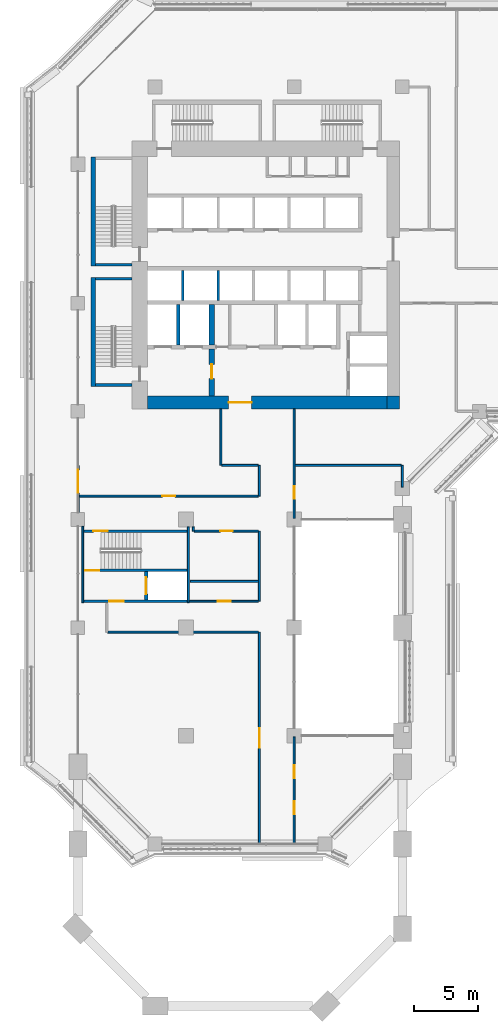
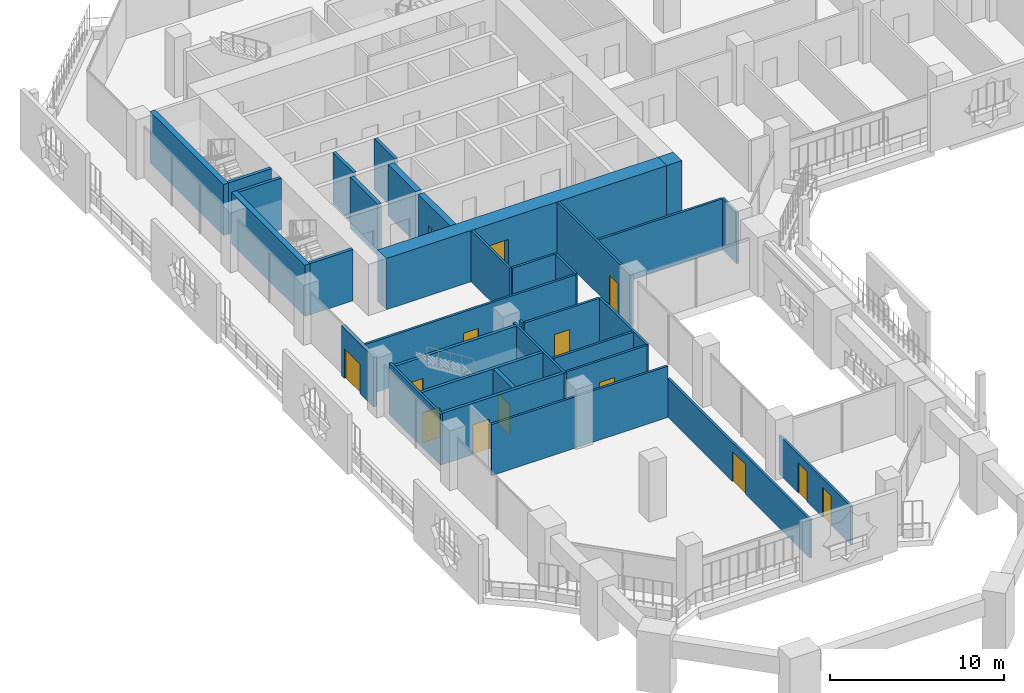
# One storey, part 15 of 29: 34 walls, 14 doors, 14 openings.
"""IFC4 building model written with IfcOpenShell, lengths in metres."""

from ifc_helpers import new_model, si_unit, direction, frame, frame_2d, origin, place, context, subcontext, project, spatial, rectangle, extrude, material, layer, layer_set, type_object, element, fill, save


model = new_model("IFC4")

# Units and contexts
model_context = context("Model", 3, precision=1e-05, world=origin(), true_north=direction((0.0, 1.0)))
body_context = subcontext(model_context, "Body", "Model", "MODEL_VIEW")
ifc_project = project(units=[si_unit("LENGTHUNIT", "METRE"), si_unit("AREAUNIT", "SQUARE_METRE"), si_unit("VOLUMEUNIT", "CUBIC_METRE"), si_unit("PLANEANGLEUNIT", "RADIAN"), si_unit("MASSUNIT", "GRAM", prefix="KILO")], contexts=[model_context])

# Site, building, storey
site_placement = place(None, origin())
site = spatial("IfcSite", under=ifc_project, at=site_placement, CompositionType="ELEMENT")
building_placement = place(site_placement, origin())
building = spatial("IfcBuilding", under=site, at=building_placement, Name="Kawkab Arch Medical Tower", CompositionType="ELEMENT")
storey_placement = place(building_placement, frame((0.0, 0.0, 107.199951171875)))
storey = spatial("IfcBuildingStorey", under=building, at=storey_placement, Name="L24", CompositionType="ELEMENT", Elevation=107.199951171875)

# Wall, opening, door
ifc_material_1 = material(Name="Concrete C60/75", Category="concrete")
ifc_layer_1 = layer(ifc_material_1, 1.0)
ifc_layer_set_1 = layer_set([ifc_layer_1], Name="Concrete C60/75")
wall_type_1 = type_object("IfcWallType", Name="Core ring wall 1000 C60/75", PredefinedType="SHEAR", material=ifc_layer_set_1)
wall_1_placement = place(storey_placement, frame((5.39990234375, -24.5, 0.0), z_axis=(0.0, 0.0, 1.0), x_axis=(1.0, 0.0, 0.0)))
wall_1 = element("IfcWall", 1, at=wall_1_placement, inside=storey, type_object=wall_type_1, Name="L24 core wall", PredefinedType="SHEAR", context=body_context, shape_type="SweptSolid", body=[
    extrude(rectangle(XDim=18.60009765625, YDim=1.0, at=frame_2d((9.300048828125, 0.0))), origin(), (0.0, 0.0, 1.0), 3.60009765625),
])
opening_1_placement = place(wall_1_placement, frame((6.300048828125, 0.0, 0.0)))
opening_1 = element("IfcOpeningElement", 2, at=opening_1_placement, cuts=wall_1, Name="Opening PD", PredefinedType="OPENING", context=body_context, shape_type="SweptSolid", body=[
    extrude(rectangle(XDim=1.800048828125, YDim=2.10009765625, at=frame_2d((0.89990234375, 1.050048828125))), frame((0.0, 0.510009765625, 0.0), z_axis=(0.0, -1.0, 0.0), x_axis=(1.0, 0.0, 0.0)), (0.0, 0.0, 1.0), 1.02001953125),
])
ifc_material_2 = material(Name="Hollow metal fire door leaf")
door_type_1 = type_object("IfcDoorType", Name="Core entrance doors 1800", OperationType="DOUBLE_DOOR_SINGLE_SWING", PredefinedType="DOOR", material=ifc_material_2)
door_1_placement = place(opening_1_placement, origin())
door_1 = element("IfcDoor", 3, at=door_1_placement, inside=storey, type_object=door_type_1, Name="L24 South entrance doors", OperationType="DOUBLE_DOOR_SINGLE_SWING", OverallHeight=2.10009765625, OverallWidth=1.800048828125, PredefinedType="DOOR", context=body_context, shape_type="SweptSolid", body=[
    extrude(rectangle(XDim=1.800048828125, YDim=2.10009765625, at=frame_2d((0.89990234375, 1.050048828125))), frame((0.0, 0.02490234375, 0.0), z_axis=(0.0, -1.0, 0.0), x_axis=(1.0, 0.0, 0.0)), (0.0, 0.0, 1.0), 0.050048828125),
])
fill(opening_1, door_1)

# Walls
wall_2_placement = place(storey_placement, frame((24.5, -25.0, 0.0), z_axis=(0.0, 0.0, 1.0), x_axis=(0.0, 1.0, 0.0)))
element("IfcWall", 4, at=wall_2_placement, inside=storey, type_object=wall_type_1, Name="L24 core wall", PredefinedType="SHEAR", context=body_context, shape_type="SweptSolid", body=[
    extrude(rectangle(XDim=1.0, YDim=1.0, at=frame_2d((0.5, 0.0))), origin(), (0.0, 0.0, 1.0), 3.60009765625),
])
ifc_material_3 = material(Name="Concrete C60/75", Category="concrete")
ifc_layer_2 = layer(ifc_material_3, 0.25)
ifc_layer_set_2 = layer_set([ifc_layer_2], Name="Concrete C60/75")
wall_type_2 = type_object("IfcWallType", Name="Core shear wall 250 C60/75", PredefinedType="SHEAR", material=ifc_layer_set_2)
wall_3_placement = place(storey_placement, frame((7.800048828125, -20.050048828125, 0.0), z_axis=(0.0, 0.0, 1.0), x_axis=(0.0, 1.0, 0.0)))
element("IfcWall", 5, at=wall_3_placement, inside=storey, type_object=wall_type_2, Name="L24 core shear wall", PredefinedType="SHEAR", context=body_context, shape_type="SweptSolid", body=[
    extrude(rectangle(XDim=3.150146484375, YDim=0.25, at=frame_2d((1.5751953125, 0.0))), origin(), (0.0, 0.0, 1.0), 3.60009765625),
])

# Wall, opening, door
wall_4_placement = place(storey_placement, frame((5.300048828125, -39.85009765625, 0.0), z_axis=(0.0, 0.0, 1.0), x_axis=(0.0, 1.0, 0.0)))
wall_4 = element("IfcWall", 6, at=wall_4_placement, inside=storey, type_object=wall_type_2, Name="L24 core shear wall", PredefinedType="SHEAR", context=body_context, shape_type="SweptSolid", body=[
    extrude(rectangle(XDim=2.2001953125, YDim=0.25, at=frame_2d((1.10009765625, 0.0))), origin(), (0.0, 0.0, 1.0), 3.60009765625),
])
opening_2_placement = place(wall_4_placement, frame((0.449951171875, 0.0, 0.0)))
opening_2 = element("IfcOpeningElement", 7, at=opening_2_placement, cuts=wall_4, Name="Opening LD2", PredefinedType="OPENING", context=body_context, shape_type="SweptSolid", body=[
    extrude(rectangle(XDim=1.300048828125, YDim=2.10009765625, at=frame_2d((0.64990234375, 1.050048828125))), frame((0.0, 0.135009765625, 0.0), z_axis=(0.0, -1.0, 0.0), x_axis=(1.0, 0.0, 0.0)), (0.0, 0.0, 1.0), 0.27001953125),
])
ifc_material_4 = material(Name="Stainless steel lift door leaf", Category="steel")
door_type_2 = type_object("IfcDoorType", Name="Lift landing door 1300", OperationType="DOUBLE_DOOR_SLIDING", PredefinedType="DOOR", material=ifc_material_4)
door_2_placement = place(opening_2_placement, origin())
door_2 = element("IfcDoor", 8, at=door_2_placement, inside=storey, type_object=door_type_2, Name="L24 Lift landing door SV2", OperationType="DOUBLE_DOOR_SLIDING", OverallHeight=2.10009765625, OverallWidth=1.300048828125, PredefinedType="DOOR", context=body_context, shape_type="SweptSolid", body=[
    extrude(rectangle(XDim=1.300048828125, YDim=2.10009765625, at=frame_2d((0.64990234375, 1.050048828125))), frame((0.0, 0.02490234375, 0.0), z_axis=(0.0, -1.0, 0.0), x_axis=(1.0, 0.0, 0.0)), (0.0, 0.0, 1.0), 0.050048828125),
])
fill(opening_2, door_2)

ifc_material_5 = material(Name="Concrete C60/75", Category="concrete")
ifc_layer_3 = layer(ifc_material_5, 0.39990234375)
ifc_layer_set_3 = layer_set([ifc_layer_3], Name="Concrete C60/75")
wall_type_3 = type_object("IfcWallType", Name="Core shear wall 400 C60/75", PredefinedType="SHEAR", material=ifc_layer_set_3)
wall_5_placement = place(storey_placement, frame((10.39990234375, -24.0, 0.0), z_axis=(0.0, 0.0, 1.0), x_axis=(0.0, 1.0, 0.0)))
wall_5 = element("IfcWall", 9, at=wall_5_placement, inside=storey, type_object=wall_type_3, Name="L24 core shear wall", PredefinedType="SHEAR", context=body_context, shape_type="SweptSolid", body=[
    extrude(rectangle(XDim=3.64990234375, YDim=0.39990234375, at=frame_2d((1.824951171875, 0.0))), origin(), (0.0, 0.0, 1.0), 3.60009765625),
])
opening_3_placement = place(wall_5_placement, frame((1.35009765625, 0.0, 0.0)))
opening_3 = element("IfcOpeningElement", 10, at=opening_3_placement, cuts=wall_5, Name="Opening FD", PredefinedType="OPENING", context=body_context, shape_type="SweptSolid", body=[
    extrude(rectangle(XDim=1.10009765625, YDim=2.10009765625, at=frame_2d((0.550048828125, 1.050048828125))), frame((0.0, 0.2099609375, 0.0), z_axis=(0.0, -1.0, 0.0), x_axis=(1.0, 0.0, 0.0)), (0.0, 0.0, 1.0), 0.419921875),
])
ifc_material_6 = material(Name="Hollow metal fire door leaf")
door_type_3 = type_object("IfcDoorType", Name="Firefighting lobby door 1100", OperationType="SINGLE_SWING_LEFT", PredefinedType="DOOR", material=ifc_material_6)
door_3_placement = place(opening_3_placement, origin())
door_3 = element("IfcDoor", 11, at=door_3_placement, inside=storey, type_object=door_type_3, Name="L24 Firefighting lobby door", OperationType="SINGLE_SWING_LEFT", OverallHeight=2.10009765625, OverallWidth=1.10009765625, PredefinedType="DOOR", context=body_context, shape_type="SweptSolid", body=[
    extrude(rectangle(XDim=1.10009765625, YDim=2.10009765625, at=frame_2d((0.550048828125, 1.050048828125))), frame((0.0, 0.02490234375, 0.0), z_axis=(0.0, -1.0, 0.0), x_axis=(1.0, 0.0, 0.0)), (0.0, 0.0, 1.0), 0.050048828125),
])
fill(opening_3, door_3)

# Wall
wall_6_placement = place(storey_placement, frame((10.39990234375, -20.050048828125, 0.0), z_axis=(0.0, 0.0, 1.0), x_axis=(0.0, 1.0, 0.0)))
element("IfcWall", 12, at=wall_6_placement, inside=storey, type_object=wall_type_3, Name="L24 core shear wall", PredefinedType="SHEAR", context=body_context, shape_type="SweptSolid", body=[
    extrude(rectangle(XDim=3.150146484375, YDim=0.39990234375, at=frame_2d((1.5751953125, 0.0))), origin(), (0.0, 0.0, 1.0), 3.60009765625),
])

# Wall, opening, door
ifc_material_7 = material(Name="Bronze clad insulated wall panel")
ifc_layer_4 = layer(ifc_material_7, 0.25)
ifc_layer_set_4 = layer_set([ifc_layer_4], Name="Bronze clad insulated wall panel")
wall_type_4 = type_object("IfcWallType", Name="External wall bay 250", PredefinedType="SOLIDWALL", material=ifc_layer_set_4)
wall_7_placement = place(storey_placement, frame((0.0, -29.39990234375, 0.0), z_axis=(0.0, 0.0, 1.0), x_axis=(0.0, -1.0, 0.0)))
wall_7 = element("IfcWall", 13, at=wall_7_placement, inside=storey, type_object=wall_type_4, Name="External wall bay L24.R13.4.2", PredefinedType="SOLIDWALL", context=body_context, shape_type="SweptSolid", body=[
    extrude(rectangle(XDim=3.675048828125, YDim=0.25, at=frame_2d((1.83740234375, 0.0))), origin(), (0.0, 0.0, 1.0), 3.47998046875),
])
opening_4_placement = place(wall_7_placement, frame((0.33740234375, 0.0, 0.0)))
opening_4 = element("IfcOpeningElement", 14, at=opening_4_placement, cuts=wall_7, Name="Opening B24-701", PredefinedType="OPENING", context=body_context, shape_type="SweptSolid", body=[
    extrude(rectangle(XDim=1.800048828125, YDim=2.10009765625, at=frame_2d((0.89990234375, 1.050048828125))), frame((0.0, 0.135009765625, 0.0), z_axis=(0.0, -1.0, 0.0), x_axis=(1.0, 0.0, 0.0)), (0.0, 0.0, 1.0), 0.27001953125),
])
ifc_material_8 = material(Name="Bronze anodised aluminium door with tinted glass", Category="aluminium")
door_type_4 = type_object("IfcDoorType", Name="Double external door 1800 x 2100", OperationType="DOUBLE_DOOR_SINGLE_SWING", PredefinedType="DOOR", material=ifc_material_8)
door_4_placement = place(opening_4_placement, origin())
door_4 = element("IfcDoor", 15, at=door_4_placement, inside=storey, type_object=door_type_4, Name="External door L24.R13.4.2", OperationType="DOUBLE_DOOR_SINGLE_SWING", OverallHeight=2.10009765625, OverallWidth=1.800048828125, PredefinedType="DOOR", context=body_context, shape_type="SweptSolid", body=[
    extrude(rectangle(XDim=1.800048828125, YDim=2.10009765625, at=frame_2d((0.89990234375, 1.050048828125))), frame((0.0, 0.02490234375, 0.0), z_axis=(0.0, -1.0, 0.0), x_axis=(1.0, 0.0, 0.0)), (0.0, 0.0, 1.0), 0.050048828125),
])
fill(opening_4, door_4)

# Walls
ifc_material_9 = material(Name="Dense concrete blockwork", Category="masonry")
ifc_layer_5 = layer(ifc_material_9, 0.199951171875)
ifc_layer_set_5 = layer_set([ifc_layer_5], Name="Dense concrete blockwork")
wall_type_5 = type_object("IfcWallType", Name="Lift shaft partition 200", PredefinedType="PARTITIONING", material=ifc_layer_set_5)
for number, where, z_axis, x_axis, name in (
    (16, (8.14990234375, -16.60009765625, 0.0), (0.0, 0.0, 1.0), (0.0, 1.0, 0.0), "L24 lift shaft partition"),
    (17, (10.89990234375, -16.60009765625, 0.0), (0.0, 0.0, 1.0), (0.0, 1.0, 0.0), "L24 lift shaft partition"),
):
    element("IfcWall", number, at=place(storey_placement, frame(where, z_axis=z_axis, x_axis=x_axis)), inside=storey, type_object=wall_type_5, Name=name, PredefinedType="PARTITIONING", context=body_context, shape_type="SweptSolid", body=[
        extrude(rectangle(XDim=2.35009765625, YDim=0.199951171875, at=frame_2d((1.175048828125, 0.0))), origin(), (0.0, 0.0, 1.0), 3.60009765625),
    ])
ifc_material_10 = material(Name="Gypsum board partition on steel studs, mineral wool", Category="steel")
ifc_layer_6 = layer(ifc_material_10, 0.14990234375)
ifc_layer_set_6 = layer_set([ifc_layer_6], Name="Gypsum board partition on steel studs, mineral wool")
wall_type_6 = type_object("IfcWallType", Name="Partition 150", PredefinedType="PARTITIONING", material=ifc_layer_set_6)
wall_8_placement = place(storey_placement, frame((2.325927734375, -42.35009765625, 0.0), z_axis=(0.0, 0.0, 1.0), x_axis=(1.0, 0.0, 0.0)))
element("IfcWall", 18, at=wall_8_placement, inside=storey, type_object=wall_type_6, Name="Partition 150 w002", PredefinedType="PARTITIONING", context=body_context, shape_type="SweptSolid", body=[
    extrude(rectangle(XDim=11.698974609375, YDim=0.14990234375, at=frame_2d((5.849609375, 0.0))), origin(), (0.0, 0.0, 1.0), 3.60009765625),
])

# Wall, opening, door
wall_9_placement = place(storey_placement, frame((8.64990234375, -39.949951171875, 0.0), z_axis=(0.0, 0.0, 1.0), x_axis=(1.0, 0.0, 0.0)))
wall_9 = element("IfcWall", 19, at=wall_9_placement, inside=storey, type_object=wall_type_6, Name="Partition 150 w003", PredefinedType="PARTITIONING", context=body_context, shape_type="SweptSolid", body=[
    extrude(rectangle(XDim=5.375, YDim=0.14990234375, at=frame_2d((2.6875, 0.0))), origin(), (0.0, 0.0, 1.0), 3.60009765625),
])
opening_5_placement = place(wall_9_placement, frame((2.22509765625, 0.0, 0.0)))
opening_5 = element("IfcOpeningElement", 20, at=opening_5_placement, cuts=wall_9, Name="Opening B24-022", PredefinedType="OPENING", context=body_context, shape_type="SweptSolid", body=[
    extrude(rectangle(XDim=1.0, YDim=2.10009765625, at=frame_2d((0.5, 1.050048828125))), frame((0.0, 0.0849609375, 0.0), z_axis=(0.0, -1.0, 0.0), x_axis=(1.0, 0.0, 0.0)), (0.0, 0.0, 1.0), 0.169921875),
])
ifc_material_11 = material(Name="Hollow metal door leaf")
door_type_5 = type_object("IfcDoorType", Name="Single door 1000x2100 FD30S", OperationType="NOTDEFINED", PredefinedType="DOOR", material=ifc_material_11)
door_5_placement = place(opening_5_placement, origin())
door_5 = element("IfcDoor", 21, at=door_5_placement, inside=storey, type_object=door_type_5, Name="Door B24-022", OperationType="SINGLE_SWING_LEFT", OverallHeight=2.10009765625, OverallWidth=1.0, PredefinedType="DOOR", context=body_context, shape_type="SweptSolid", body=[
    extrude(rectangle(XDim=1.0, YDim=2.10009765625, at=frame_2d((0.5, 1.050048828125))), frame((0.0, 0.02490234375, 0.0), z_axis=(0.0, -1.0, 0.0), x_axis=(1.0, 0.0, 0.0)), (0.0, 0.0, 1.0), 0.050048828125),
])
fill(opening_5, door_5)

# Wall
wall_10_placement = place(storey_placement, frame((8.72998046875, -38.39990234375, 0.0), z_axis=(0.0, 0.0, 1.0), x_axis=(1.0, 0.0, 0.0)))
element("IfcWall", 22, at=wall_10_placement, inside=storey, type_object=wall_type_6, Name="Partition 150 w004", PredefinedType="PARTITIONING", context=body_context, shape_type="SweptSolid", body=[
    extrude(rectangle(XDim=5.294921875, YDim=0.14990234375, at=frame_2d((2.6474609375, 0.0))), origin(), (0.0, 0.0, 1.0), 3.60009765625),
])

# Wall, opening, door
wall_11_placement = place(storey_placement, frame((9.050048828125, -34.5, 0.0), z_axis=(0.0, 0.0, 1.0), x_axis=(1.0, 0.0, 0.0)))
wall_11 = element("IfcWall", 23, at=wall_11_placement, inside=storey, type_object=wall_type_6, Name="Partition 150 w005", PredefinedType="PARTITIONING", context=body_context, shape_type="SweptSolid", body=[
    extrude(rectangle(XDim=4.974853515625, YDim=0.14990234375, at=frame_2d((2.4873046875, 0.0))), origin(), (0.0, 0.0, 1.0), 3.60009765625),
])
opening_6_placement = place(wall_11_placement, frame((1.987060546875, 0.0, 0.0)))
opening_6 = element("IfcOpeningElement", 24, at=opening_6_placement, cuts=wall_11, Name="Opening B24-027", PredefinedType="OPENING", context=body_context, shape_type="SweptSolid", body=[
    extrude(rectangle(XDim=1.0, YDim=2.10009765625, at=frame_2d((0.5, 1.050048828125))), frame((0.0, 0.0849609375, 0.0), z_axis=(0.0, -1.0, 0.0), x_axis=(1.0, 0.0, 0.0)), (0.0, 0.0, 1.0), 0.169921875),
])
door_6_placement = place(opening_6_placement, origin())
door_6 = element("IfcDoor", 25, at=door_6_placement, inside=storey, type_object=door_type_5, Name="Door B24-027", OperationType="SINGLE_SWING_RIGHT", OverallHeight=2.10009765625, OverallWidth=1.0, PredefinedType="DOOR", context=body_context, shape_type="SweptSolid", body=[
    extrude(rectangle(XDim=1.0, YDim=2.10009765625, at=frame_2d((0.5, 1.050048828125))), frame((0.0, 0.02490234375, 0.0), z_axis=(0.0, -1.0, 0.0), x_axis=(1.0, 0.0, 0.0)), (0.0, 0.0, 1.0), 0.050048828125),
])
fill(opening_6, door_6)

wall_12_placement = place(storey_placement, frame((0.080078125, -31.781982421875, 0.0), z_axis=(0.0, 0.0, 1.0), x_axis=(1.0, 0.0, 0.0)))
wall_12 = element("IfcWall", 26, at=wall_12_placement, inside=storey, type_object=wall_type_6, Name="Partition 150 w006", PredefinedType="PARTITIONING", context=body_context, shape_type="SweptSolid", body=[
    extrude(rectangle(XDim=13.94482421875, YDim=0.14990234375, at=frame_2d((6.972412109375, 0.0))), origin(), (0.0, 0.0, 1.0), 3.60009765625),
])
opening_7_placement = place(wall_12_placement, frame((6.469970703125, 0.0, 0.0)))
opening_7 = element("IfcOpeningElement", 27, at=opening_7_placement, cuts=wall_12, Name="Opening B24-021", PredefinedType="OPENING", context=body_context, shape_type="SweptSolid", body=[
    extrude(rectangle(XDim=1.0, YDim=2.10009765625, at=frame_2d((0.5, 1.050048828125))), frame((0.0, 0.0849609375, 0.0), z_axis=(0.0, -1.0, 0.0), x_axis=(1.0, 0.0, 0.0)), (0.0, 0.0, 1.0), 0.169921875),
])
door_7_placement = place(opening_7_placement, origin())
door_7 = element("IfcDoor", 28, at=door_7_placement, inside=storey, type_object=door_type_5, Name="Door B24-021", OperationType="SINGLE_SWING_RIGHT", OverallHeight=2.10009765625, OverallWidth=1.0, PredefinedType="DOOR", context=body_context, shape_type="SweptSolid", body=[
    extrude(rectangle(XDim=1.0, YDim=2.10009765625, at=frame_2d((0.5, 1.050048828125))), frame((0.0, 0.02490234375, 0.0), z_axis=(0.0, -1.0, 0.0), x_axis=(1.0, 0.0, 0.0)), (0.0, 0.0, 1.0), 0.050048828125),
])
fill(opening_7, door_7)

# Walls
wall_13_placement = place(storey_placement, frame((11.177001953125, -29.39990234375, 0.0), z_axis=(0.0, 0.0, 1.0), x_axis=(1.0, 0.0, 0.0)))
element("IfcWall", 29, at=wall_13_placement, inside=storey, type_object=wall_type_6, Name="Partition 150 w007", PredefinedType="PARTITIONING", context=body_context, shape_type="SweptSolid", body=[
    extrude(rectangle(XDim=2.847900390625, YDim=0.14990234375, at=frame_2d((1.423828125, 0.0))), origin(), (0.0, 0.0, 1.0), 3.60009765625),
])
wall_14_placement = place(storey_placement, frame((16.875, -29.39990234375, 0.0), z_axis=(0.0, 0.0, 1.0), x_axis=(1.0, 0.0, 0.0)))
element("IfcWall", 30, at=wall_14_placement, inside=storey, type_object=wall_type_6, Name="Partition 150 w008", PredefinedType="PARTITIONING", context=body_context, shape_type="SweptSolid", body=[
    extrude(rectangle(XDim=8.25, YDim=0.14990234375, at=frame_2d((4.125, 0.0))), origin(), (0.0, 0.0, 1.0), 3.60009765625),
])
wall_15_placement = place(storey_placement, frame((8.97509765625, -34.5, 0.0), z_axis=(0.0, 0.0, 1.0), x_axis=(0.0, 1.0, 0.0)))
element("IfcWall", 31, at=wall_15_placement, inside=storey, type_object=wall_type_6, Name="Partition 150 w024", PredefinedType="PARTITIONING", context=body_context, shape_type="SweptSolid", body=[
    extrude(rectangle(XDim=0.323974609375, YDim=0.14990234375, at=frame_2d((0.162109375, 0.0))), origin(), (0.0, 0.0, 1.0), 3.60009765625),
])
wall_16_placement = place(storey_placement, frame((11.10009765625, -29.39892578125, 0.0), z_axis=(0.0, 0.0, 1.0), x_axis=(0.0, 1.0, 0.0)))
element("IfcWall", 32, at=wall_16_placement, inside=storey, type_object=wall_type_6, Name="Partition 150 w025", PredefinedType="PARTITIONING", context=body_context, shape_type="SweptSolid", body=[
    extrude(rectangle(XDim=4.39892578125, YDim=0.14990234375, at=frame_2d((2.199462890625, 0.0))), origin(), (0.0, 0.0, 1.0), 3.60009765625),
])

# Wall, opening, door
wall_17_placement = place(storey_placement, frame((14.10009765625, -58.719970703125, 0.0), z_axis=(0.0, 0.0, 1.0), x_axis=(0.0, 1.0, 0.0)))
wall_17 = element("IfcWall", 33, at=wall_17_placement, inside=storey, type_object=wall_type_6, Name="Partition 150 w026", PredefinedType="PARTITIONING", context=body_context, shape_type="SweptSolid", body=[
    extrude(rectangle(XDim=16.369873046875, YDim=0.14990234375, at=frame_2d((8.18505859375, 0.0))), origin(), (0.0, 0.0, 1.0), 2.699951171875),
])
opening_8_placement = place(wall_17_placement, frame((7.39501953125, 0.0, 0.0)))
opening_8 = element("IfcOpeningElement", 34, at=opening_8_placement, cuts=wall_17, Name="Opening B24-002", PredefinedType="OPENING", context=body_context, shape_type="SweptSolid", body=[
    extrude(rectangle(XDim=1.5, YDim=2.10009765625, at=frame_2d((0.75, 1.050048828125))), frame((0.0, 0.0849609375, 0.0), z_axis=(0.0, -1.0, 0.0), x_axis=(1.0, 0.0, 0.0)), (0.0, 0.0, 1.0), 0.169921875),
])
ifc_material_12 = material(Name="Hollow metal door leaf")
door_type_6 = type_object("IfcDoorType", Name="Double door 1500x2100 FD30S", OperationType="NOTDEFINED", PredefinedType="DOOR", material=ifc_material_12)
door_8_placement = place(opening_8_placement, origin())
door_8 = element("IfcDoor", 35, at=door_8_placement, inside=storey, type_object=door_type_6, Name="Door B24-002", OperationType="DOUBLE_DOOR_SINGLE_SWING", OverallHeight=2.10009765625, OverallWidth=1.5, PredefinedType="DOOR", context=body_context, shape_type="SweptSolid", body=[
    extrude(rectangle(XDim=1.5, YDim=2.10009765625, at=frame_2d((0.75, 1.050048828125))), frame((0.0, 0.02490234375, 0.0), z_axis=(0.0, -1.0, 0.0), x_axis=(1.0, 0.0, 0.0)), (0.0, 0.0, 1.0), 0.050048828125),
])
fill(opening_8, door_8)

# Walls
wall_18_placement = place(storey_placement, frame((14.10009765625, -39.949951171875, 0.0), z_axis=(0.0, 0.0, 1.0), x_axis=(0.0, 1.0, 0.0)))
element("IfcWall", 36, at=wall_18_placement, inside=storey, type_object=wall_type_6, Name="Partition 150 w027", PredefinedType="PARTITIONING", context=body_context, shape_type="SweptSolid", body=[
    extrude(rectangle(XDim=5.449951171875, YDim=0.14990234375, at=frame_2d((2.72509765625, 0.0))), origin(), (0.0, 0.0, 1.0), 3.60009765625),
])
wall_19_placement = place(storey_placement, frame((14.10009765625, -31.781982421875, 0.0), z_axis=(0.0, 0.0, 1.0), x_axis=(0.0, 1.0, 0.0)))
element("IfcWall", 37, at=wall_19_placement, inside=storey, type_object=wall_type_6, Name="Partition 150 w028", PredefinedType="PARTITIONING", context=body_context, shape_type="SweptSolid", body=[
    extrude(rectangle(XDim=2.382080078125, YDim=0.14990234375, at=frame_2d((1.19091796875, 0.0))), origin(), (0.0, 0.0, 1.0), 3.60009765625),
])

# Wall, openings, doors
wall_20_placement = place(storey_placement, frame((16.800048828125, -58.719970703125, 0.0), z_axis=(0.0, 0.0, 1.0), x_axis=(0.0, 1.0, 0.0)))
wall_20 = element("IfcWall", 38, at=wall_20_placement, inside=storey, type_object=wall_type_6, Name="Partition 150 w029", PredefinedType="PARTITIONING", context=body_context, shape_type="SweptSolid", body=[
    extrude(rectangle(XDim=8.239990234375, YDim=0.14990234375, at=frame_2d((4.1201171875, 0.0))), origin(), (0.0, 0.0, 1.0), 2.699951171875),
])
opening_9_placement = place(wall_20_placement, frame((5.02001953125, 0.0, 0.0)))
opening_9 = element("IfcOpeningElement", 39, at=opening_9_placement, cuts=wall_20, Name="Opening B24-024", PredefinedType="OPENING", context=body_context, shape_type="SweptSolid", body=[
    extrude(rectangle(XDim=1.0, YDim=2.10009765625, at=frame_2d((0.5, 1.050048828125))), frame((0.0, 0.0849609375, 0.0), z_axis=(0.0, -1.0, 0.0), x_axis=(1.0, 0.0, 0.0)), (0.0, 0.0, 1.0), 0.169921875),
])
opening_10_placement = place(wall_20_placement, frame((2.219970703125, 0.0, 0.0)))
opening_10 = element("IfcOpeningElement", 40, at=opening_10_placement, cuts=wall_20, Name="Opening B24-025", PredefinedType="OPENING", context=body_context, shape_type="SweptSolid", body=[
    extrude(rectangle(XDim=1.0, YDim=2.10009765625, at=frame_2d((0.5, 1.050048828125))), frame((0.0, 0.0849609375, 0.0), z_axis=(0.0, -1.0, 0.0), x_axis=(1.0, 0.0, 0.0)), (0.0, 0.0, 1.0), 0.169921875),
])
door_9_placement = place(opening_9_placement, origin())
door_9 = element("IfcDoor", 41, at=door_9_placement, inside=storey, type_object=door_type_5, Name="Door B24-024", OperationType="SINGLE_SWING_LEFT", OverallHeight=2.10009765625, OverallWidth=1.0, PredefinedType="DOOR", context=body_context, shape_type="SweptSolid", body=[
    extrude(rectangle(XDim=1.0, YDim=2.10009765625, at=frame_2d((0.5, 1.050048828125))), frame((0.0, 0.02490234375, 0.0), z_axis=(0.0, -1.0, 0.0), x_axis=(1.0, 0.0, 0.0)), (0.0, 0.0, 1.0), 0.050048828125),
])
fill(opening_9, door_9)
door_10_placement = place(opening_10_placement, origin())
door_10 = element("IfcDoor", 42, at=door_10_placement, inside=storey, type_object=door_type_5, Name="Door B24-025", OperationType="SINGLE_SWING_RIGHT", OverallHeight=2.10009765625, OverallWidth=1.0, PredefinedType="DOOR", context=body_context, shape_type="SweptSolid", body=[
    extrude(rectangle(XDim=1.0, YDim=2.10009765625, at=frame_2d((0.5, 1.050048828125))), frame((0.0, 0.02490234375, 0.0), z_axis=(0.0, -1.0, 0.0), x_axis=(1.0, 0.0, 0.0)), (0.0, 0.0, 1.0), 0.050048828125),
])
fill(opening_10, door_10)

# Wall, opening, door
wall_21_placement = place(storey_placement, frame((16.800048828125, -33.52001953125, 0.0), z_axis=(0.0, 0.0, 1.0), x_axis=(0.0, 1.0, 0.0)))
wall_21 = element("IfcWall", 43, at=wall_21_placement, inside=storey, type_object=wall_type_6, Name="Partition 150 w030", PredefinedType="PARTITIONING", context=body_context, shape_type="SweptSolid", body=[
    extrude(rectangle(XDim=8.52001953125, YDim=0.14990234375, at=frame_2d((4.260009765625, 0.0))), origin(), (0.0, 0.0, 1.0), 3.60009765625),
])
opening_11_placement = place(wall_21_placement, frame((1.52001953125, 0.0, 0.0)))
opening_11 = element("IfcOpeningElement", 44, at=opening_11_placement, cuts=wall_21, Name="Opening B24-023", PredefinedType="OPENING", context=body_context, shape_type="SweptSolid", body=[
    extrude(rectangle(XDim=1.0, YDim=2.10009765625, at=frame_2d((0.5, 1.050048828125))), frame((0.0, 0.0849609375, 0.0), z_axis=(0.0, -1.0, 0.0), x_axis=(1.0, 0.0, 0.0)), (0.0, 0.0, 1.0), 0.169921875),
])
door_11_placement = place(opening_11_placement, origin())
door_11 = element("IfcDoor", 45, at=door_11_placement, inside=storey, type_object=door_type_5, Name="Door B24-023", OperationType="SINGLE_SWING_RIGHT", OverallHeight=2.10009765625, OverallWidth=1.0, PredefinedType="DOOR", context=body_context, shape_type="SweptSolid", body=[
    extrude(rectangle(XDim=1.0, YDim=2.10009765625, at=frame_2d((0.5, 1.050048828125))), frame((0.0, 0.02490234375, 0.0), z_axis=(0.0, -1.0, 0.0), x_axis=(1.0, 0.0, 0.0)), (0.0, 0.0, 1.0), 0.050048828125),
])
fill(opening_11, door_11)

# Walls
wall_22_placement = place(storey_placement, frame((25.199951171875, -31.0869140625, 0.0), z_axis=(0.0, 0.0, 1.0), x_axis=(0.0, 1.0, 0.0)))
element("IfcWall", 46, at=wall_22_placement, inside=storey, type_object=wall_type_6, Name="Partition 150 w031", PredefinedType="PARTITIONING", context=body_context, shape_type="SweptSolid", body=[
    extrude(rectangle(XDim=1.68701171875, YDim=0.14990234375, at=frame_2d((0.843505859375, 0.0))), origin(), (0.0, 0.0, 1.0), 3.60009765625),
])
ifc_material_13 = material(Name="Concrete C50/60", Category="concrete")
ifc_layer_7 = layer(ifc_material_13, 0.14990234375)
ifc_layer_set_7 = layer_set([ifc_layer_7], Name="Concrete C50/60")
wall_type_7 = type_object("IfcWallType", Name="Stair enclosure wall 150 C50/60", PredefinedType="SHEAR", material=ifc_layer_set_7)
wall_23_placement = place(storey_placement, frame((0.375, -40.050048828125, 0.0), z_axis=(0.0, 0.0, 1.0), x_axis=(0.0, 1.0, 0.0)))
element("IfcWall", 47, at=wall_23_placement, inside=storey, type_object=wall_type_7, Name="L24 stair enclosure wall", PredefinedType="SHEAR", context=body_context, shape_type="SweptSolid", body=[
    extrude(rectangle(XDim=5.925048828125, YDim=0.14990234375, at=frame_2d((2.96240234375, 0.0))), origin(), (0.0, 0.0, 1.0), 3.60009765625),
])
wall_24_placement = place(storey_placement, frame((8.574951171875, -40.050048828125, 0.0), z_axis=(0.0, 0.0, 1.0), x_axis=(0.0, 1.0, 0.0)))
element("IfcWall", 48, at=wall_24_placement, inside=storey, type_object=wall_type_7, Name="L24 stair enclosure wall", PredefinedType="SHEAR", context=body_context, shape_type="SweptSolid", body=[
    extrude(rectangle(XDim=5.875, YDim=0.14990234375, at=frame_2d((2.9375, 0.0))), origin(), (0.0, 0.0, 1.0), 3.60009765625),
])
ifc_material_14 = material(Name="Concrete C50/60", Category="concrete")
ifc_layer_8 = layer(ifc_material_14, 0.199951171875)
ifc_layer_set_8 = layer_set([ifc_layer_8], Name="Concrete C50/60")
wall_type_8 = type_object("IfcWallType", Name="Stair enclosure wall 200 C50/60", PredefinedType="SHEAR", material=ifc_layer_set_8)
for number, where, z_axis, x_axis, name in (
    (49, (1.35009765625, -13.800048828125, 0.0), (0.0, 0.0, 1.0), (1.0, 0.0, 0.0), "L24 stair enclosure wall"),
    (50, (1.35009765625, -14.89990234375, 0.0), (0.0, 0.0, 1.0), (1.0, 0.0, 0.0), "L24 stair enclosure wall"),
    (51, (1.35009765625, -23.14990234375, 0.0), (0.0, 0.0, 1.0), (1.0, 0.0, 0.0), "L24 stair enclosure wall"),
):
    element("IfcWall", number, at=place(storey_placement, frame(where, z_axis=z_axis, x_axis=x_axis)), inside=storey, type_object=wall_type_8, Name=name, PredefinedType="SHEAR", context=body_context, shape_type="SweptSolid", body=[
        extrude(rectangle(XDim=2.849853515625, YDim=0.199951171875, at=frame_2d((1.4248046875, 0.0))), origin(), (0.0, 0.0, 1.0), 3.60009765625),
    ])

# Wall, opening, door
wall_25_placement = place(storey_placement, frame((0.449951171875, -34.5, 0.0), z_axis=(0.0, 0.0, 1.0), x_axis=(1.0, 0.0, 0.0)))
wall_25 = element("IfcWall", 52, at=wall_25_placement, inside=storey, type_object=wall_type_8, Name="L24 stair enclosure wall", PredefinedType="SHEAR", context=body_context, shape_type="SweptSolid", body=[
    extrude(rectangle(XDim=8.050048828125, YDim=0.199951171875, at=frame_2d((4.02490234375, 0.0))), origin(), (0.0, 0.0, 1.0), 3.60009765625),
])
opening_12_placement = place(wall_25_placement, frame((0.75, 0.0, 0.0)))
opening_12 = element("IfcOpeningElement", 53, at=opening_12_placement, cuts=wall_25, Name="Opening SD", PredefinedType="OPENING", context=body_context, shape_type="SweptSolid", body=[
    extrude(rectangle(XDim=1.10009765625, YDim=2.10009765625, at=frame_2d((0.550048828125, 1.050048828125))), frame((0.0, 0.10986328125, 0.0), z_axis=(0.0, -1.0, 0.0), x_axis=(1.0, 0.0, 0.0)), (0.0, 0.0, 1.0), 0.219970703125),
])
ifc_material_15 = material(Name="Hollow metal fire door leaf")
door_type_7 = type_object("IfcDoorType", Name="Exit stair door 1100", OperationType="SINGLE_SWING_LEFT", PredefinedType="DOOR", material=ifc_material_15)
door_12_placement = place(opening_12_placement, origin())
door_12 = element("IfcDoor", 54, at=door_12_placement, inside=storey, type_object=door_type_7, Name="L24 Exit stair ST6 door", OperationType="SINGLE_SWING_LEFT", OverallHeight=2.10009765625, OverallWidth=1.10009765625, PredefinedType="DOOR", context=body_context, shape_type="SweptSolid", body=[
    extrude(rectangle(XDim=1.10009765625, YDim=2.10009765625, at=frame_2d((0.550048828125, 1.050048828125))), frame((0.0, 0.02490234375, 0.0), z_axis=(0.0, -1.0, 0.0), x_axis=(1.0, 0.0, 0.0)), (0.0, 0.0, 1.0), 0.050048828125),
])
fill(opening_12, door_12)

wall_26_placement = place(storey_placement, frame((0.449951171875, -37.550048828125, 0.0), z_axis=(0.0, 0.0, 1.0), x_axis=(1.0, 0.0, 0.0)))
wall_26 = element("IfcWall", 55, at=wall_26_placement, inside=storey, type_object=wall_type_8, Name="L24 stair enclosure wall", PredefinedType="SHEAR", context=body_context, shape_type="SweptSolid", body=[
    extrude(rectangle(XDim=8.050048828125, YDim=0.199951171875, at=frame_2d((4.02490234375, 0.0))), origin(), (0.0, 0.0, 1.0), 3.60009765625),
])
opening_13_placement = place(wall_26_placement, frame((0.10009765625, 0.0, 0.0)))
opening_13 = element("IfcOpeningElement", 56, at=opening_13_placement, cuts=wall_26, Name="Opening SD", PredefinedType="OPENING", context=body_context, shape_type="SweptSolid", body=[
    extrude(rectangle(XDim=1.10009765625, YDim=2.10009765625, at=frame_2d((0.550048828125, 1.050048828125))), frame((0.0, 0.10986328125, 0.0), z_axis=(0.0, -1.0, 0.0), x_axis=(1.0, 0.0, 0.0)), (0.0, 0.0, 1.0), 0.219970703125),
])
door_13_placement = place(opening_13_placement, frame((1.10009765625, 0.0, 0.0), z_axis=(0.0, 0.0, 1.0), x_axis=(-1.0, 0.0, 0.0)))
door_13 = element("IfcDoor", 57, at=door_13_placement, inside=storey, type_object=door_type_7, Name="L24 Exit stair ST6 lobby door", OperationType="SINGLE_SWING_LEFT", OverallHeight=2.10009765625, OverallWidth=1.10009765625, PredefinedType="DOOR", context=body_context, shape_type="SweptSolid", body=[
    extrude(rectangle(XDim=1.10009765625, YDim=2.10009765625, at=frame_2d((0.550048828125, 1.050048828125))), frame((0.0, 0.02490234375, 0.0), z_axis=(0.0, -1.0, 0.0), x_axis=(1.0, 0.0, 0.0)), (0.0, 0.0, 1.0), 0.050048828125),
])
fill(opening_13, door_13)

wall_27_placement = place(storey_placement, frame((0.449951171875, -39.949951171875, 0.0), z_axis=(0.0, 0.0, 1.0), x_axis=(1.0, 0.0, 0.0)))
wall_27 = element("IfcWall", 58, at=wall_27_placement, inside=storey, type_object=wall_type_8, Name="L24 stair enclosure wall", PredefinedType="SHEAR", context=body_context, shape_type="SweptSolid", body=[
    extrude(rectangle(XDim=8.050048828125, YDim=0.199951171875, at=frame_2d((4.02490234375, 0.0))), origin(), (0.0, 0.0, 1.0), 3.60009765625),
])
opening_14_placement = place(wall_27_placement, frame((2.0, 0.0, 0.0)))
opening_14 = element("IfcOpeningElement", 59, at=opening_14_placement, cuts=wall_27, Name="Opening FD", PredefinedType="OPENING", context=body_context, shape_type="SweptSolid", body=[
    extrude(rectangle(XDim=1.10009765625, YDim=2.10009765625, at=frame_2d((0.550048828125, 1.050048828125))), frame((0.0, 0.10986328125, 0.0), z_axis=(0.0, -1.0, 0.0), x_axis=(1.0, 0.0, 0.0)), (0.0, 0.0, 1.0), 0.219970703125),
])
door_14_placement = place(opening_14_placement, origin())
door_14 = element("IfcDoor", 60, at=door_14_placement, inside=storey, type_object=door_type_3, Name="L24 Service lift lobby door SV2", OperationType="SINGLE_SWING_LEFT", OverallHeight=2.10009765625, OverallWidth=1.10009765625, PredefinedType="DOOR", context=body_context, shape_type="SweptSolid", body=[
    extrude(rectangle(XDim=1.10009765625, YDim=2.10009765625, at=frame_2d((0.550048828125, 1.050048828125))), frame((0.0, 0.02490234375, 0.0), z_axis=(0.0, -1.0, 0.0), x_axis=(1.0, 0.0, 0.0)), (0.0, 0.0, 1.0), 0.050048828125),
])
fill(opening_14, door_14)

# Walls
ifc_material_16 = material(Name="Concrete C50/60", Category="concrete")
ifc_layer_9 = layer(ifc_material_16, 0.35009765625)
ifc_layer_set_9 = layer_set([ifc_layer_9], Name="Concrete C50/60")
wall_type_9 = type_object("IfcWallType", Name="Stair enclosure wall 350 C50/60", PredefinedType="SHEAR", material=ifc_layer_set_9)
for number, where, z_axis, x_axis, name in (
    (61, (1.175048828125, -13.89990234375, 0.0), (0.0, 0.0, 1.0), (0.0, 1.0, 0.0), "L24 stair enclosure wall"),
    (62, (1.175048828125, -23.25, 0.0), (0.0, 0.0, 1.0), (0.0, 1.0, 0.0), "L24 stair enclosure wall"),
):
    element("IfcWall", number, at=place(storey_placement, frame(where, z_axis=z_axis, x_axis=x_axis)), inside=storey, type_object=wall_type_9, Name=name, PredefinedType="SHEAR", context=body_context, shape_type="SweptSolid", body=[
        extrude(rectangle(XDim=8.449951171875, YDim=0.35009765625, at=frame_2d((4.22509765625, 0.0))), origin(), (0.0, 0.0, 1.0), 3.60009765625),
    ])

save(model, "model.ifc")
